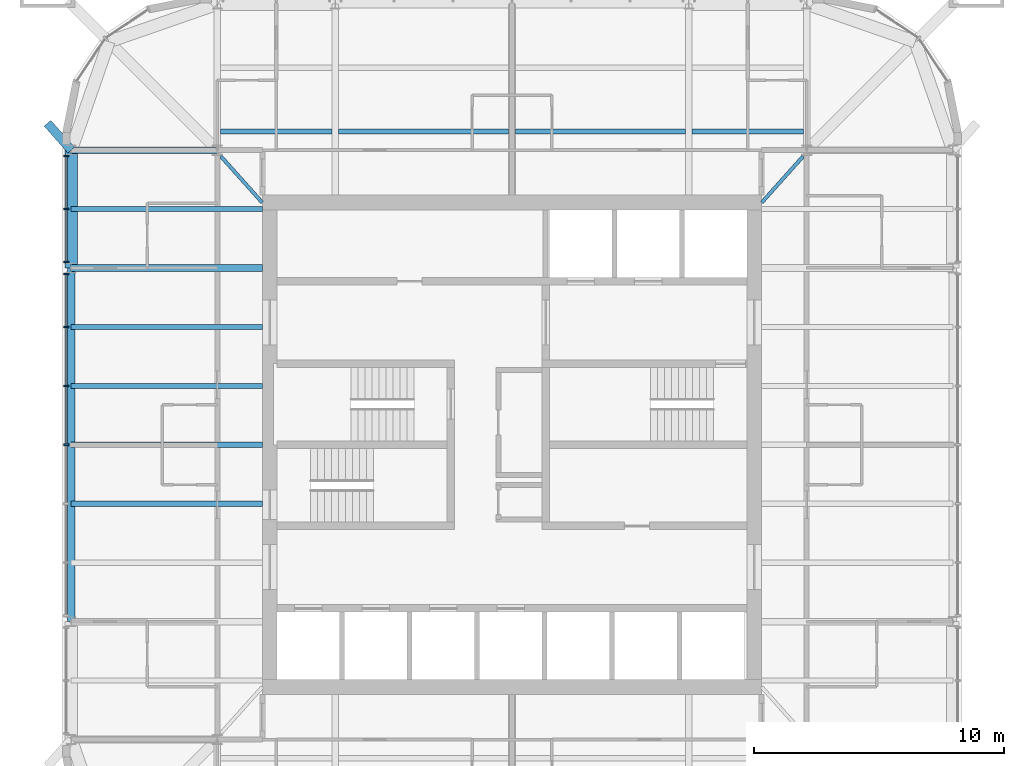
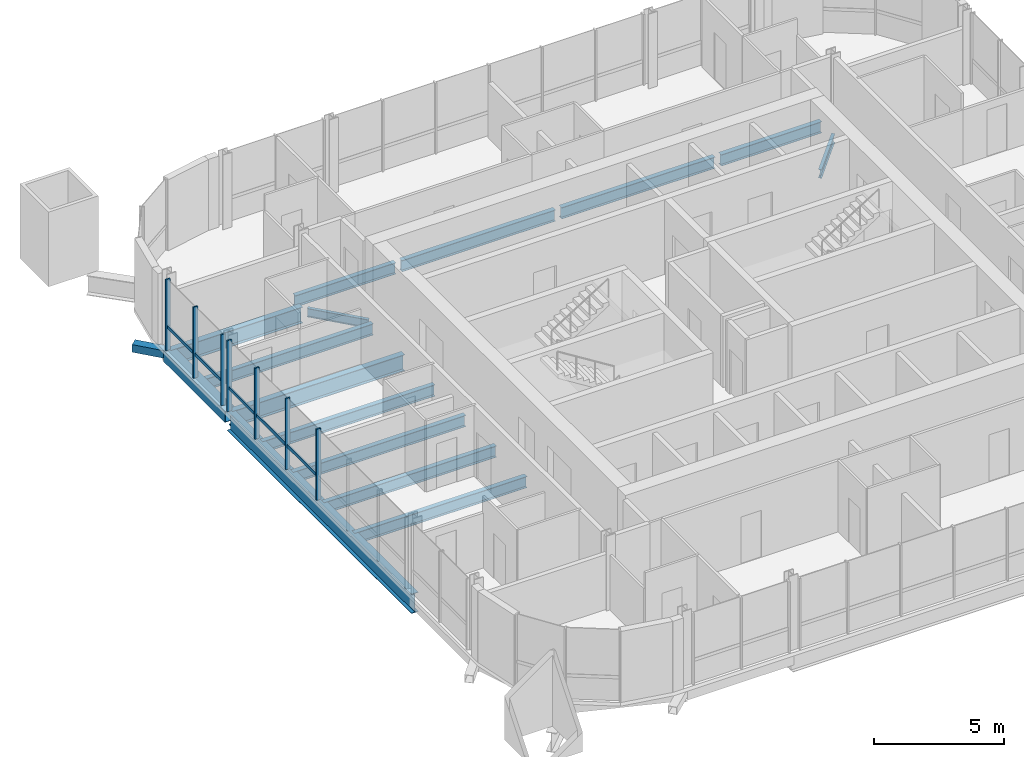
# One storey, part 3 of 12: 16 beams, 12 members, 2 elements without a shape of their own.
"""IFC4 building model written with IfcOpenShell, lengths in metres."""

from ifc_helpers import new_model, si_unit, direction, frame, origin, origin_2d, place, context, subcontext, project, spatial, rectangle, hollow_rectangle, i_section, extrude, material, material_profile, profile_set, type_object, element, aggregate, save


model = new_model("IFC4")

# Units and contexts
model_context = context("Model", 3, precision=1e-05, world=origin(), true_north=direction((0.0, 1.0)))
body_context = subcontext(model_context, "Body", "Model", "MODEL_VIEW")
ifc_project = project(units=[si_unit("LENGTHUNIT", "METRE"), si_unit("AREAUNIT", "SQUARE_METRE"), si_unit("VOLUMEUNIT", "CUBIC_METRE"), si_unit("PLANEANGLEUNIT", "RADIAN"), si_unit("MASSUNIT", "GRAM", prefix="KILO")], contexts=[model_context])

# Site, building, storey
site_placement = place(None, origin())
site = spatial("IfcSite", under=ifc_project, at=site_placement, CompositionType="ELEMENT")
building_placement = place(site_placement, origin())
building = spatial("IfcBuilding", under=site, at=building_placement, Name="Turquesa Mirador Hotel Tower", CompositionType="ELEMENT")
storey_placement = place(building_placement, frame((0.0, 0.0, 233.699951171875)))
storey = spatial("IfcBuildingStorey", under=building, at=storey_placement, Name="L63", CompositionType="ELEMENT", Elevation=233.699951171875)

# Beams
ifc_material_1 = material(Name="Steel ASTM A572 Grade 50", Category="steel")
ifc_material_profile_1 = material_profile(ifc_material_1, hollow_rectangle(XDim=0.5, YDim=0.5, WallThickness=0.01611328125, at=origin_2d()), Name="BOX500X500X16")
ifc_profile_set_1 = profile_set([ifc_material_profile_1], Name="Steel ASTM A572 Grade 50")
beam_type_1 = type_object("IfcBeamType", Name="BEAM BOX500X500X16", PredefinedType="BEAM", material=ifc_profile_set_1)
beam_1_placement = place(storey_placement, frame((37.35009765625, 52.080078125, -0.419921875), z_axis=(0.0, 1.0, 0.0), x_axis=(-1.0, 0.0, 0.0)))
element("IfcBeam", 1, at=beam_1_placement, inside=storey, type_object=beam_type_1, Name="EB-L63-W-R", PredefinedType="BEAM", context=body_context, shape_type="SweptSolid", body=[
    extrude(hollow_rectangle(XDim=0.5, YDim=0.5, WallThickness=0.01611328125, at=origin_2d()), origin(), (0.0, 0.0, 1.0), 4.719970703125),
])
ifc_material_2 = material(Name="Steel ASTM A992 Grade 50", Category="steel")
ifc_material_profile_2 = material_profile(ifc_material_2, i_section(OverallWidth=0.140380859375, OverallDepth=0.40380859375, WebThickness=0.007080078125, FlangeThickness=0.01123046875, at=origin_2d()), Name="W16X31")
ifc_profile_set_2 = profile_set([ifc_material_profile_2], Name="Steel ASTM A992 Grade 50")
beam_type_2 = type_object("IfcBeamType", Name="BEAM W16X31", PredefinedType="BEAM", material=ifc_profile_set_2)
for number, where, z_axis, x_axis, name in (
    (2, (66.656494140625, 56.55126953125, -0.371826171875), (-0.666806350186, -0.745231032198, 0.0), (0.745231032198, -0.666806350186, 0.0), "KT-L63-1"),
    (3, (43.343505859375, 56.55126953125, -0.371826171875), (0.666806350186, -0.745231032198, 0.0), (0.745231032198, 0.666806350186, 0.0), "KT-L63-2"),
):
    element("IfcBeam", number, at=place(storey_placement, frame(where, z_axis=z_axis, x_axis=x_axis)), inside=storey, type_object=beam_type_2, Name=name, PredefinedType="BEAM", context=body_context, shape_type="SweptSolid", body=[
        extrude(i_section(OverallWidth=0.140380859375, OverallDepth=0.40380859375, WebThickness=0.007080078125, FlangeThickness=0.01123046875, at=origin_2d()), origin(), (0.0, 0.0, 1.0), 2.484130859375),
    ])
ifc_material_3 = material(Name="Steel ASTM A992 Grade 50", Category="steel")
ifc_material_profile_3 = material_profile(ifc_material_3, i_section(OverallWidth=0.209228515625, OverallDepth=0.533447265625, WebThickness=0.01025390625, FlangeThickness=0.015625, at=origin_2d()), Name="W21X62")
ifc_profile_set_3 = profile_set([ifc_material_profile_3], Name="Steel ASTM A992 Grade 50")
beam_type_3 = type_object("IfcBeamType", Name="BEAM W21X62", PredefinedType="BEAM", material=ifc_profile_set_3)
beam_2_placement = place(storey_placement, frame((43.333251953125, 57.550048828125, -0.436767578125), z_axis=(1.0, 0.0, 0.0), x_axis=(0.0, 1.0, 0.0)))
element("IfcBeam", 4, at=beam_2_placement, inside=storey, type_object=beam_type_3, Name="IB-L63-N-1-0", PredefinedType="BEAM", context=body_context, shape_type="SweptSolid", body=[
    extrude(i_section(OverallWidth=0.209228515625, OverallDepth=0.533447265625, WebThickness=0.01025390625, FlangeThickness=0.015625, at=origin_2d()), origin(), (0.0, 0.0, 1.0), 4.453369140625),
])
for number, where, z_axis, x_axis, name in (
    (5, (48.053466796875, 57.550048828125, -0.436767578125), (1.0, 0.0, 0.0), (0.0, 1.0, 0.0), "IB-L63-N-1-1"),
    (6, (55.13330078125, 57.550048828125, -0.436767578125), (1.0, 0.0, 0.0), (0.0, 1.0, 0.0), "IB-L63-N-1-2"),
):
    element("IfcBeam", number, at=place(storey_placement, frame(where, z_axis=z_axis, x_axis=x_axis)), inside=storey, type_object=beam_type_3, Name=name, PredefinedType="BEAM", context=body_context, shape_type="SweptSolid", body=[
        extrude(i_section(OverallWidth=0.209228515625, OverallDepth=0.533447265625, WebThickness=0.01025390625, FlangeThickness=0.015625, at=origin_2d()), origin(), (0.0, 0.0, 1.0), 6.813232421875),
    ])
beam_3_placement = place(storey_placement, frame((62.21337890625, 57.550048828125, -0.436767578125), z_axis=(1.0, 0.0, 0.0), x_axis=(0.0, 1.0, 0.0)))
element("IfcBeam", 7, at=beam_3_placement, inside=storey, type_object=beam_type_3, Name="IB-L63-N-1-3", PredefinedType="BEAM", context=body_context, shape_type="SweptSolid", body=[
    extrude(i_section(OverallWidth=0.209228515625, OverallDepth=0.533447265625, WebThickness=0.01025390625, FlangeThickness=0.015625, at=origin_2d()), origin(), (0.0, 0.0, 1.0), 4.453369140625),
])
for number, where, z_axis, x_axis, name in (
    (8, (37.35009765625, 42.639892578125, -0.436767578125), (1.0, 0.0, 0.0), (0.0, 1.0, 0.0), "BM-L63-W--2.36"),
    (9, (37.35009765625, 45.0, -0.436767578125), (1.0, 0.0, 0.0), (0.0, 1.0, 0.0), "BM-L63-W-+0.00"),
    (10, (37.35009765625, 47.360107421875, -0.436767578125), (1.0, 0.0, 0.0), (0.0, 1.0, 0.0), "BM-L63-W-+2.36"),
    (11, (37.35009765625, 49.719970703125, -0.436767578125), (1.0, 0.0, 0.0), (0.0, 1.0, 0.0), "BM-L63-W-+4.72"),
    (12, (37.35009765625, 54.43994140625, -0.436767578125), (1.0, 0.0, 0.0), (0.0, 1.0, 0.0), "BM-L63-W-+9.44"),
):
    element("IfcBeam", number, at=place(storey_placement, frame(where, z_axis=z_axis, x_axis=x_axis)), inside=storey, type_object=beam_type_3, Name=name, PredefinedType="BEAM", context=body_context, shape_type="SweptSolid", body=[
        extrude(i_section(OverallWidth=0.209228515625, OverallDepth=0.533447265625, WebThickness=0.01025390625, FlangeThickness=0.015625, at=origin_2d()), origin(), (0.0, 0.0, 1.0), 7.64990234375),
    ])
ifc_material_4 = material(Name="Steel ASTM A992 Grade 50", Category="steel")
ifc_material_profile_4 = material_profile(ifc_material_4, i_section(OverallWidth=0.2666015625, OverallDepth=0.7568359375, WebThickness=0.013916015625, FlangeThickness=0.019287109375, at=origin_2d()), Name="W30X108")
ifc_profile_set_4 = profile_set([ifc_material_profile_4], Name="Steel ASTM A992 Grade 50")
beam_type_4 = type_object("IfcBeamType", Name="BEAM W30X108", PredefinedType="BEAM", material=ifc_profile_set_4)
beam_4_placement = place(storey_placement, frame((37.35009765625, 52.080078125, -0.54833984375), z_axis=(1.0, 0.0, 0.0), x_axis=(0.0, 1.0, 0.0)))
element("IfcBeam", 13, at=beam_4_placement, inside=storey, type_object=beam_type_4, Name="GD-L63-W-+7.08", PredefinedType="BEAM", context=body_context, shape_type="SweptSolid", body=[
    extrude(i_section(OverallWidth=0.2666015625, OverallDepth=0.7568359375, WebThickness=0.013916015625, FlangeThickness=0.019287109375, at=origin_2d()), origin(), (0.0, 0.0, 1.0), 7.64990234375),
])
beam_5_placement = place(storey_placement, frame((37.35009765625, 56.800048828125, -0.54833984375), z_axis=(1.0, 0.0, 0.0), x_axis=(0.0, 1.0, 0.0)))
element("IfcBeam", 14, at=beam_5_placement, inside=storey, type_object=beam_type_4, Name="GK-L63-W-+11.80", PredefinedType="BEAM", context=body_context, shape_type="SweptSolid", body=[
    extrude(i_section(OverallWidth=0.2666015625, OverallDepth=0.7568359375, WebThickness=0.013916015625, FlangeThickness=0.019287109375, at=origin_2d()), origin(), (0.0, 0.0, 1.0), 5.849853515625),
])
ifc_material_5 = material(Name="Steel ASTM A992 Grade 50", Category="steel")
ifc_material_profile_5 = material_profile(ifc_material_5, i_section(OverallWidth=0.3046875, OverallDepth=0.911865234375, WebThickness=0.015869140625, FlangeThickness=0.02392578125, at=origin_2d()), Name="W36X150")
ifc_profile_set_5 = profile_set([ifc_material_profile_5], Name="Steel ASTM A992 Grade 50")
beam_type_5 = type_object("IfcBeamType", Name="BEAM W36X150", PredefinedType="BEAM", material=ifc_profile_set_5)
beam_6_placement = place(storey_placement, frame((37.35009765625, 37.919921875, -0.6259765625), z_axis=(0.0, 1.0, 0.0), x_axis=(-1.0, 0.0, 0.0)))
element("IfcBeam", 15, at=beam_6_placement, inside=storey, type_object=beam_type_5, Name="EB-L63-W-C", PredefinedType="BEAM", context=body_context, shape_type="SweptSolid", body=[
    extrude(i_section(OverallWidth=0.3046875, OverallDepth=0.911865234375, WebThickness=0.015869140625, FlangeThickness=0.02392578125, at=origin_2d()), origin(), (0.0, 0.0, 1.0), 14.16015625),
])
ifc_material_6 = material(Name="Steel ASTM A500 Grade C", Category="steel")
ifc_material_profile_6 = material_profile(ifc_material_6, hollow_rectangle(XDim=0.355712890625, YDim=0.355712890625, WallThickness=0.0146484375, at=origin_2d()), Name="HSS14X14X5/8")
ifc_profile_set_6 = profile_set([ifc_material_profile_6], Name="Steel ASTM A500 Grade C")
beam_type_6 = type_object("IfcBeamType", Name="BRACE STRUT HSS14X14X5/8", PredefinedType="BEAM", material=ifc_profile_set_6)
beam_7_placement = place(storey_placement, frame((36.39990234375, 57.876953125, -0.34765625), z_axis=(0.661616014704, -0.749842816254, 0.0), x_axis=(0.749842816254, 0.661616014704, 0.0)))
element("IfcBeam", 16, at=beam_7_placement, inside=storey, type_object=beam_type_6, Name="Brace strut", PredefinedType="BEAM", context=body_context, shape_type="SweptSolid", body=[
    extrude(hollow_rectangle(XDim=0.355712890625, YDim=0.355712890625, WallThickness=0.0146484375, at=origin_2d()), origin(), (0.0, 0.0, 1.0), 1.436279296875),
])

# Curtain wall, members
ifc_material_7 = material(Name="Aluminium extrusion", Category="aluminium")
curtain_wall_type = type_object("IfcCurtainWallType", Name="CW-4 SUITE FRITTED CURTAIN WALL", PredefinedType="USERDEFINED", material=ifc_material_7)
curtain_wall_1_placement = place(storey_placement, origin())
curtain_wall_1 = element("IfcCurtainWall", 17, at=curtain_wall_1_placement, inside=storey, type_object=curtain_wall_type, Name="CW-4 SUITE FRITTED CURTAIN WALL L63", ObjectType="CURTAIN WALL", PredefinedType="USERDEFINED")
ifc_material_8 = material(Name="Aluminium extrusion", Category="aluminium")
ifc_material_profile_7 = material_profile(ifc_material_8, rectangle(XDim=0.06494140625, YDim=0.199951171875, at=origin_2d()), Name="MULLION 65X200")
ifc_profile_set_7 = profile_set([ifc_material_profile_7], Name="Aluminium extrusion")
member_type_1 = type_object("IfcMemberType", Name="CW MULLION 65X200", PredefinedType="MULLION", material=ifc_profile_set_7)
member_1_placement = place(storey_placement, frame((37.14990234375, 56.566162109375, 0.0), z_axis=(0.0, 0.0, 1.0), x_axis=(0.0, -1.0, 0.0)))
member_1 = element("IfcMember", 18, at=member_1_placement, type_object=member_type_1, Name="Mullion", PredefinedType="MULLION", context=body_context, shape_type="SweptSolid", body=[
    extrude(rectangle(XDim=0.06494140625, YDim=0.199951171875, at=origin_2d()), origin(), (0.0, 0.0, 1.0), 3.330078125),
])
member_2_placement = place(storey_placement, frame((37.14990234375, 54.43994140625, 0.0), z_axis=(0.0, 0.0, 1.0), x_axis=(0.0, -1.0, 0.0)))
member_2 = element("IfcMember", 19, at=member_2_placement, type_object=member_type_1, Name="Mullion", PredefinedType="MULLION", context=body_context, shape_type="SweptSolid", body=[
    extrude(rectangle(XDim=0.06494140625, YDim=0.199951171875, at=origin_2d()), origin(), (0.0, 0.0, 1.0), 3.330078125),
])
member_3_placement = place(storey_placement, frame((37.14990234375, 52.31396484375, 0.0), z_axis=(0.0, 0.0, 1.0), x_axis=(0.0, -1.0, 0.0)))
member_3 = element("IfcMember", 20, at=member_3_placement, type_object=member_type_1, Name="Mullion", PredefinedType="MULLION", context=body_context, shape_type="SweptSolid", body=[
    extrude(rectangle(XDim=0.06494140625, YDim=0.199951171875, at=origin_2d()), origin(), (0.0, 0.0, 1.0), 3.330078125),
])

curtain_wall_2_placement = place(storey_placement, origin())
curtain_wall_2 = element("IfcCurtainWall", 21, at=curtain_wall_2_placement, inside=storey, type_object=curtain_wall_type, Name="CW-4 SUITE FRITTED CURTAIN WALL L63", ObjectType="CURTAIN WALL", PredefinedType="USERDEFINED")
member_4_placement = place(storey_placement, frame((37.14990234375, 51.84619140625, 0.0), z_axis=(0.0, 0.0, 1.0), x_axis=(0.0, -1.0, 0.0)))
member_4 = element("IfcMember", 22, at=member_4_placement, type_object=member_type_1, Name="Mullion", PredefinedType="MULLION", context=body_context, shape_type="SweptSolid", body=[
    extrude(rectangle(XDim=0.06494140625, YDim=0.199951171875, at=origin_2d()), origin(), (0.0, 0.0, 1.0), 3.330078125),
])
member_5_placement = place(storey_placement, frame((37.14990234375, 49.719970703125, 0.0), z_axis=(0.0, 0.0, 1.0), x_axis=(0.0, -1.0, 0.0)))
member_5 = element("IfcMember", 23, at=member_5_placement, type_object=member_type_1, Name="Mullion", PredefinedType="MULLION", context=body_context, shape_type="SweptSolid", body=[
    extrude(rectangle(XDim=0.06494140625, YDim=0.199951171875, at=origin_2d()), origin(), (0.0, 0.0, 1.0), 3.330078125),
])
member_6_placement = place(storey_placement, frame((37.14990234375, 47.360107421875, 0.0), z_axis=(0.0, 0.0, 1.0), x_axis=(0.0, -1.0, 0.0)))
member_6 = element("IfcMember", 24, at=member_6_placement, type_object=member_type_1, Name="Mullion", PredefinedType="MULLION", context=body_context, shape_type="SweptSolid", body=[
    extrude(rectangle(XDim=0.06494140625, YDim=0.199951171875, at=origin_2d()), origin(), (0.0, 0.0, 1.0), 3.330078125),
])
member_7_placement = place(storey_placement, frame((37.14990234375, 45.0, 0.0), z_axis=(0.0, 0.0, 1.0), x_axis=(0.0, -1.0, 0.0)))
member_7 = element("IfcMember", 25, at=member_7_placement, type_object=member_type_1, Name="Mullion", PredefinedType="MULLION", context=body_context, shape_type="SweptSolid", body=[
    extrude(rectangle(XDim=0.06494140625, YDim=0.199951171875, at=origin_2d()), origin(), (0.0, 0.0, 1.0), 3.330078125),
])

# Member
ifc_material_9 = material(Name="Aluminium extrusion", Category="aluminium")
ifc_material_profile_8 = material_profile(ifc_material_9, rectangle(XDim=0.06494140625, YDim=0.14990234375, at=origin_2d()), Name="TRANSOM 65X150")
ifc_profile_set_8 = profile_set([ifc_material_profile_8], Name="Aluminium extrusion")
member_type_2 = type_object("IfcMemberType", Name="CW TRANSOM 65X150", PredefinedType="USERDEFINED", material=ifc_profile_set_8)
member_8_placement = place(storey_placement, frame((37.14990234375, 56.53369140625, 1.10009765625), z_axis=(0.0, -1.0, 0.0), x_axis=(1.0, 0.0, 0.0)))
member_8 = element("IfcMember", 26, at=member_8_placement, type_object=member_type_2, Name="Transom", ObjectType="TRANSOM", PredefinedType="USERDEFINED", context=body_context, shape_type="SweptSolid", body=[
    extrude(rectangle(XDim=0.06494140625, YDim=0.14990234375, at=origin_2d()), origin(), (0.0, 0.0, 1.0), 2.061279296875),
])

member_9_placement = place(storey_placement, frame((37.14990234375, 54.407470703125, 1.10009765625), z_axis=(0.0, -1.0, 0.0), x_axis=(1.0, 0.0, 0.0)))
member_9 = element("IfcMember", 27, at=member_9_placement, type_object=member_type_2, Name="Transom", ObjectType="TRANSOM", PredefinedType="USERDEFINED", context=body_context, shape_type="SweptSolid", body=[
    extrude(rectangle(XDim=0.06494140625, YDim=0.14990234375, at=origin_2d()), origin(), (0.0, 0.0, 1.0), 2.06103515625),
])

aggregate(curtain_wall_1, [member_1, member_2, member_3, member_8, member_9])

member_10_placement = place(storey_placement, frame((37.14990234375, 51.813720703125, 1.10009765625), z_axis=(0.0, -1.0, 0.0), x_axis=(1.0, 0.0, 0.0)))
member_10 = element("IfcMember", 28, at=member_10_placement, type_object=member_type_2, Name="Transom", ObjectType="TRANSOM", PredefinedType="USERDEFINED", context=body_context, shape_type="SweptSolid", body=[
    extrude(rectangle(XDim=0.06494140625, YDim=0.14990234375, at=origin_2d()), origin(), (0.0, 0.0, 1.0), 2.061279296875),
])

member_11_placement = place(storey_placement, frame((37.14990234375, 49.6875, 1.10009765625), z_axis=(0.0, -1.0, 0.0), x_axis=(1.0, 0.0, 0.0)))
member_11 = element("IfcMember", 29, at=member_11_placement, type_object=member_type_2, Name="Transom", ObjectType="TRANSOM", PredefinedType="USERDEFINED", context=body_context, shape_type="SweptSolid", body=[
    extrude(rectangle(XDim=0.06494140625, YDim=0.14990234375, at=origin_2d()), origin(), (0.0, 0.0, 1.0), 2.294921875),
])

member_12_placement = place(storey_placement, frame((37.14990234375, 47.327392578125, 1.10009765625), z_axis=(0.0, -1.0, 0.0), x_axis=(1.0, 0.0, 0.0)))
member_12 = element("IfcMember", 30, at=member_12_placement, type_object=member_type_2, Name="Transom", ObjectType="TRANSOM", PredefinedType="USERDEFINED", context=body_context, shape_type="SweptSolid", body=[
    extrude(rectangle(XDim=0.06494140625, YDim=0.14990234375, at=origin_2d()), origin(), (0.0, 0.0, 1.0), 2.294921875),
])

aggregate(curtain_wall_2, [member_4, member_5, member_6, member_7, member_10, member_11, member_12])

save(model, "model.ifc")
